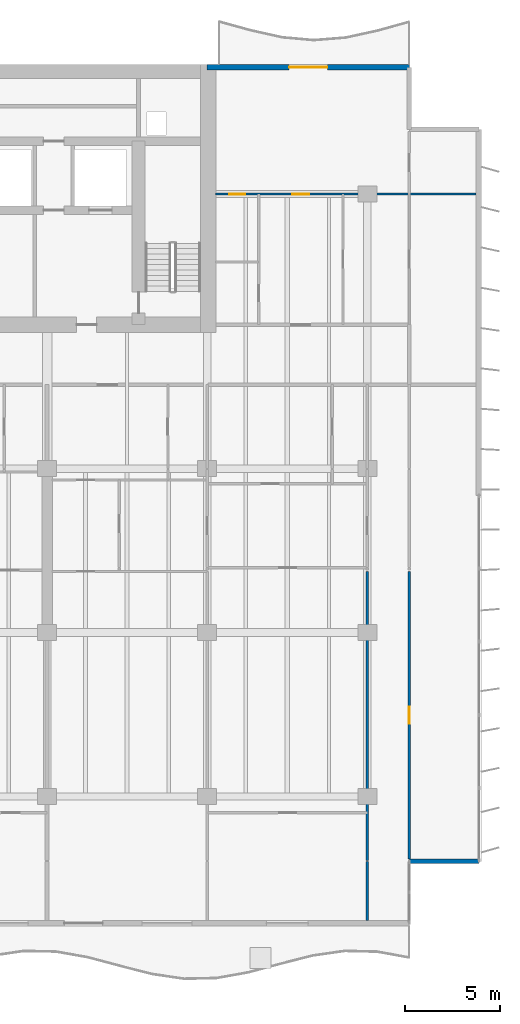
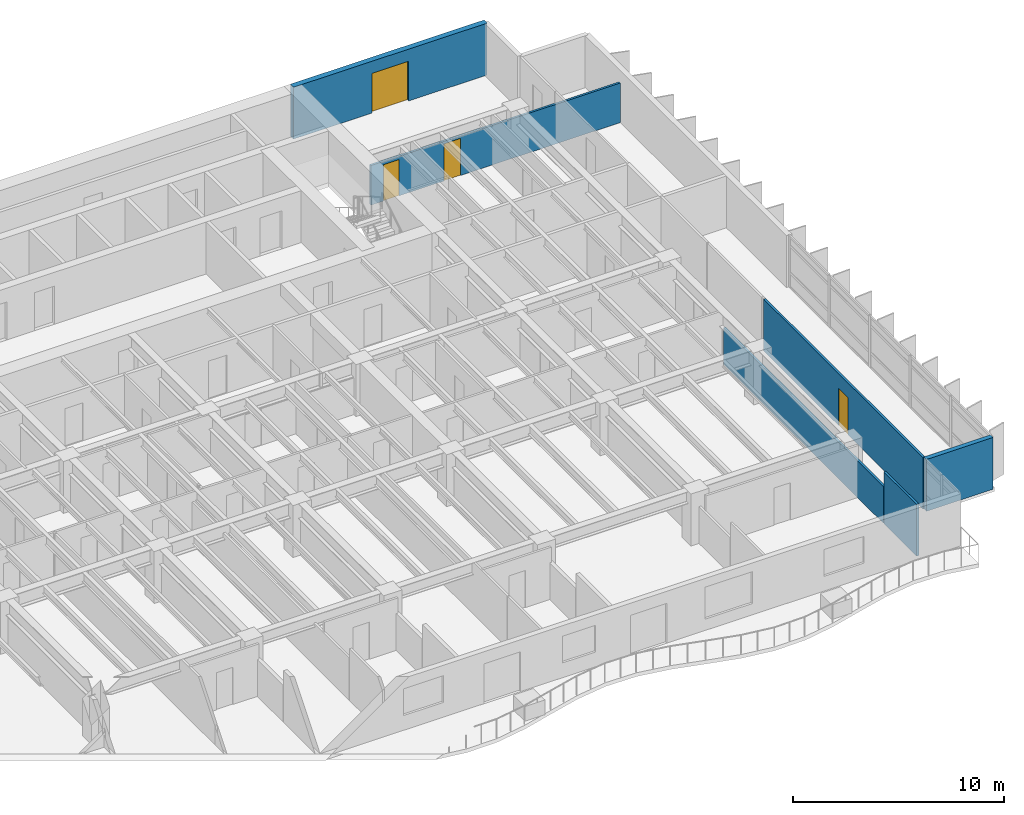
# One storey, part 13 of 19: 6 walls, 4 doors, 4 openings.
"""IFC4 building model written with IfcOpenShell, lengths in metres."""

from ifc_helpers import new_model, si_unit, direction, frame, frame_2d, origin, place, context, subcontext, project, spatial, rectangle, extrude, material, layer, layer_set, type_object, element, fill, save


model = new_model("IFC4")

# Units and contexts
model_context = context("Model", 3, precision=1e-05, world=origin(), true_north=direction((0.0, 1.0)))
body_context = subcontext(model_context, "Body", "Model", "MODEL_VIEW")
ifc_project = project(units=[si_unit("LENGTHUNIT", "METRE"), si_unit("AREAUNIT", "SQUARE_METRE"), si_unit("VOLUMEUNIT", "CUBIC_METRE"), si_unit("PLANEANGLEUNIT", "RADIAN"), si_unit("MASSUNIT", "GRAM", prefix="KILO")], contexts=[model_context])

# Site, building, storey
site_placement = place(None, origin())
site = spatial("IfcSite", under=ifc_project, at=site_placement, CompositionType="ELEMENT")
building_placement = place(site_placement, origin())
building = spatial("IfcBuilding", under=site, at=building_placement, Name="Caelmar Bay Residences", CompositionType="ELEMENT")
storey_placement = place(building_placement, frame((0.0, 0.0, 94.5)))
storey = spatial("IfcBuildingStorey", under=building, at=storey_placement, Name="L25", CompositionType="ELEMENT", Elevation=94.5)

# Wall
ifc_material_1 = material(Name="Precast concrete f'c 40 MPa (6,000 psi)", Category="concrete")
ifc_layer_1 = layer(ifc_material_1, 0.25)
ifc_layer_set_1 = layer_set([ifc_layer_1], Name="Precast concrete f'c 40 MPa (6,000 psi)")
wall_type_1 = type_object("IfcWallType", Name="W-EXT-250", PredefinedType="ELEMENTEDWALL", material=ifc_layer_set_1)
wall_1_placement = place(storey_placement, frame((70.10009765625, 8.800048828125, 0.0), z_axis=(0.0, 0.0, 1.0), x_axis=(1.0, 0.0, 0.0)))
element("IfcWall", 1, at=wall_1_placement, inside=storey, type_object=wall_type_1, Name="L25 SE Notch Return Wall", PredefinedType="ELEMENTEDWALL", context=body_context, shape_type="SweptSolid", body=[
    extrude(rectangle(XDim=3.64990234375, YDim=0.25, at=frame_2d((1.824951171875, 0.0))), origin(), (0.0, 0.0, 1.0), 3.0),
])

# Wall, opening, door
ifc_layer_2 = layer(ifc_material_1, 0.300048828125)
ifc_layer_set_2 = layer_set([ifc_layer_2], Name="Precast concrete f'c 40 MPa (6,000 psi)")
wall_type_2 = type_object("IfcWallType", Name="W-EXT-300", PredefinedType="STANDARD", material=ifc_layer_set_2)
wall_2_placement = place(storey_placement, frame((59.5, 50.449951171875, 0.0), z_axis=(0.0, 0.0, 1.0), x_axis=(1.0, 0.0, 0.0)))
wall_2 = element("IfcWall", 2, at=wall_2_placement, inside=storey, type_object=wall_type_2, Name="L25 North-East Wing Exterior Wall", PredefinedType="STANDARD", context=body_context, shape_type="SweptSolid", body=[
    extrude(rectangle(XDim=10.60009765625, YDim=0.300048828125, at=frame_2d((5.300048828125, 0.0))), origin(), (0.0, 0.0, 1.0), 3.0),
])
opening_1_placement = place(wall_2_placement, frame((4.300048828125, 0.0, 0.0)))
opening_1 = element("IfcOpeningElement", 3, at=opening_1_placement, cuts=wall_2, Name="Opening L25-BDNE", PredefinedType="OPENING", context=body_context, shape_type="SweptSolid", body=[
    extrude(rectangle(XDim=2.0, YDim=2.300048828125, at=frame_2d((1.0, 1.14990234375))), frame((0.0, 0.159912109375, 0.0), z_axis=(0.0, -1.0, 0.0), x_axis=(1.0, 0.0, 0.0)), (0.0, 0.0, 1.0), 0.320068359375),
])
ifc_material_2 = material(Name="Anodised bronze thermally broken sliding glass door", Category="glass")
ifc_layer_3 = layer(ifc_material_2, 0.050048828125)
ifc_layer_set_3 = layer_set([ifc_layer_3], Name="Anodised bronze thermally broken sliding glass door")
door_type_1 = type_object("IfcDoorType", Name="D-BAL-2000", OperationType="DOUBLE_DOOR_SLIDING", PredefinedType="DOOR", material=ifc_layer_set_3)
door_1_placement = place(opening_1_placement, origin())
door_1 = element("IfcDoor", 4, at=door_1_placement, inside=storey, type_object=door_type_1, Name="L25 North-East Balcony Door", OperationType="DOUBLE_DOOR_SLIDING", OverallHeight=2.300048828125, OverallWidth=2.0, PredefinedType="DOOR", context=body_context, shape_type="SweptSolid", body=[
    extrude(rectangle(XDim=2.0, YDim=2.300048828125, at=frame_2d((1.0, 1.14990234375))), frame((0.0, 0.02490234375, 0.0), z_axis=(0.0, -1.0, 0.0), x_axis=(1.0, 0.0, 0.0)), (0.0, 0.0, 1.0), 0.050048828125),
])
fill(opening_1, door_1)

# Walls
ifc_material_3 = material(Name="Acoustic metal-stud gypsum partition 120 mm")
ifc_layer_4 = layer(ifc_material_3, 0.1201171875)
ifc_layer_set_4 = layer_set([ifc_layer_4], Name="Acoustic metal-stud gypsum partition 120 mm")
wall_type_3 = type_object("IfcWallType", Name="W-PRT-120", PredefinedType="PARTITIONING", material=ifc_layer_set_4)
wall_3_placement = place(storey_placement, frame((67.89990234375, 5.695068359375, 0.0), z_axis=(0.0, 0.0, 1.0), x_axis=(0.0, 1.0, 0.0)))
element("IfcWall", 5, at=wall_3_placement, inside=storey, type_object=wall_type_3, Name="L25 Partition Wall V087", PredefinedType="PARTITIONING", context=body_context, shape_type="SweptSolid", body=[
    extrude(rectangle(XDim=3.10498046875, YDim=0.1201171875, at=frame_2d((1.552490234375, 0.0))), origin(), (0.0, 0.0, 1.0), 3.0),
])
wall_4_placement = place(storey_placement, frame((67.89990234375, 8.840087890625, 0.0), z_axis=(0.0, 0.0, 1.0), x_axis=(0.0, 1.0, 0.0)))
element("IfcWall", 6, at=wall_4_placement, inside=storey, type_object=wall_type_3, Name="L25 Partition Wall V088", PredefinedType="PARTITIONING", context=body_context, shape_type="SweptSolid", body=[
    extrude(rectangle(XDim=15.159912109375, YDim=0.1201171875, at=frame_2d((7.580078125, 0.0))), origin(), (0.0, 0.0, 1.0), 2.1240234375),
])

# Wall, opening, door
wall_5_placement = place(storey_placement, frame((70.10009765625, 8.919921875, 0.0), z_axis=(0.0, 0.0, 1.0), x_axis=(0.0, 1.0, 0.0)))
wall_5 = element("IfcWall", 7, at=wall_5_placement, inside=storey, type_object=wall_type_3, Name="L25 Partition Wall V092", PredefinedType="PARTITIONING", context=body_context, shape_type="SweptSolid", body=[
    extrude(rectangle(XDim=15.080078125, YDim=0.1201171875, at=frame_2d((7.5400390625, 0.0))), origin(), (0.0, 0.0, 1.0), 3.0),
])
opening_2_placement = place(wall_5_placement, frame((7.090087890625, 0.0, 0.0)))
opening_2 = element("IfcOpeningElement", 8, at=opening_2_placement, cuts=wall_5, Name="Opening D-L25-163", PredefinedType="OPENING", context=body_context, shape_type="SweptSolid", body=[
    extrude(rectangle(XDim=0.89990234375, YDim=2.14990234375, at=frame_2d((0.449951171875, 1.074951171875))), frame((0.0, 0.070068359375, 0.0), z_axis=(0.0, -1.0, 0.0), x_axis=(1.0, 0.0, 0.0)), (0.0, 0.0, 1.0), 0.14013671875),
])
ifc_material_4 = material(Name="Solid walnut timber interior door leaf and frame", Category="wood")
ifc_layer_5 = layer(ifc_material_4, 0.050048828125)
ifc_layer_set_5 = layer_set([ifc_layer_5], Name="Solid walnut timber interior door leaf and frame")
door_type_2 = type_object("IfcDoorType", Name="D-ROOM-900", OperationType="NOTDEFINED", PredefinedType="DOOR", material=ifc_layer_set_5)
door_2_placement = place(opening_2_placement, origin())
door_2 = element("IfcDoor", 9, at=door_2_placement, inside=storey, type_object=door_type_2, Name="L25 Residence 05 Penthouse East Salon Door", OperationType="SINGLE_SWING_RIGHT", OverallHeight=2.14990234375, OverallWidth=0.89990234375, PredefinedType="DOOR", context=body_context, shape_type="SweptSolid", body=[
    extrude(rectangle(XDim=0.89990234375, YDim=2.14990234375, at=frame_2d((0.449951171875, 1.074951171875))), frame((0.0, 0.02490234375, 0.0), z_axis=(0.0, -1.0, 0.0), x_axis=(1.0, 0.0, 0.0)), (0.0, 0.0, 1.0), 0.050048828125),
])
fill(opening_2, door_2)

# Wall, openings, doors
wall_6_placement = place(storey_placement, frame((59.945068359375, 43.800048828125, 0.0), z_axis=(0.0, 0.0, 1.0), x_axis=(1.0, 0.0, 0.0)))
wall_6 = element("IfcWall", 10, at=wall_6_placement, inside=storey, type_object=wall_type_3, Name="L25 Partition Wall H128", PredefinedType="PARTITIONING", context=body_context, shape_type="SweptSolid", body=[
    extrude(rectangle(XDim=13.659912109375, YDim=0.1201171875, at=frame_2d((6.830078125, 0.0))), origin(), (0.0, 0.0, 1.0), 2.2890625),
])
opening_3_placement = place(wall_6_placement, frame((4.01708984375, 0.0, 0.0)))
opening_3 = element("IfcOpeningElement", 11, at=opening_3_placement, cuts=wall_6, Name="Opening D-L25-173", PredefinedType="OPENING", context=body_context, shape_type="SweptSolid", body=[
    extrude(rectangle(XDim=0.89990234375, YDim=2.14990234375, at=frame_2d((0.449951171875, 1.074951171875))), frame((0.0, 0.070068359375, 0.0), z_axis=(0.0, -1.0, 0.0), x_axis=(1.0, 0.0, 0.0)), (0.0, 0.0, 1.0), 0.14013671875),
])
opening_4_placement = place(wall_6_placement, frame((0.702392578125, 0.0, 0.0)))
opening_4 = element("IfcOpeningElement", 12, at=opening_4_placement, cuts=wall_6, Name="Opening D-L25-175", PredefinedType="OPENING", context=body_context, shape_type="SweptSolid", body=[
    extrude(rectangle(XDim=0.85009765625, YDim=2.10009765625, at=frame_2d((0.425048828125, 1.050048828125))), frame((0.0, 0.070068359375, 0.0), z_axis=(0.0, -1.0, 0.0), x_axis=(1.0, 0.0, 0.0)), (0.0, 0.0, 1.0), 0.14013671875),
])
ifc_layer_6 = layer(ifc_material_4, 0.050048828125)
ifc_layer_set_6 = layer_set([ifc_layer_6], Name="Solid walnut timber interior door leaf and frame")
door_type_3 = type_object("IfcDoorType", Name="D-BATH-850", OperationType="NOTDEFINED", PredefinedType="DOOR", material=ifc_layer_set_6)
door_3_placement = place(opening_4_placement, origin())
door_3 = element("IfcDoor", 13, at=door_3_placement, inside=storey, type_object=door_type_3, Name="L25 Residence EA Bathroom Door", OperationType="SINGLE_SWING_RIGHT", OverallHeight=2.10009765625, OverallWidth=0.85009765625, PredefinedType="DOOR", context=body_context, shape_type="SweptSolid", body=[
    extrude(rectangle(XDim=0.85009765625, YDim=2.10009765625, at=frame_2d((0.425048828125, 1.050048828125))), frame((0.0, 0.02490234375, 0.0), z_axis=(0.0, -1.0, 0.0), x_axis=(1.0, 0.0, 0.0)), (0.0, 0.0, 1.0), 0.050048828125),
])
fill(opening_4, door_3)
door_4_placement = place(opening_3_placement, origin())
door_4 = element("IfcDoor", 14, at=door_4_placement, inside=storey, type_object=door_type_2, Name="L25 Residence EA Studio Living and Sleeping Room Door", OperationType="SINGLE_SWING_RIGHT", OverallHeight=2.14990234375, OverallWidth=0.89990234375, PredefinedType="DOOR", context=body_context, shape_type="SweptSolid", body=[
    extrude(rectangle(XDim=0.89990234375, YDim=2.14990234375, at=frame_2d((0.449951171875, 1.074951171875))), frame((0.0, 0.02490234375, 0.0), z_axis=(0.0, -1.0, 0.0), x_axis=(1.0, 0.0, 0.0)), (0.0, 0.0, 1.0), 0.050048828125),
])
fill(opening_3, door_4)

save(model, "model.ifc")
